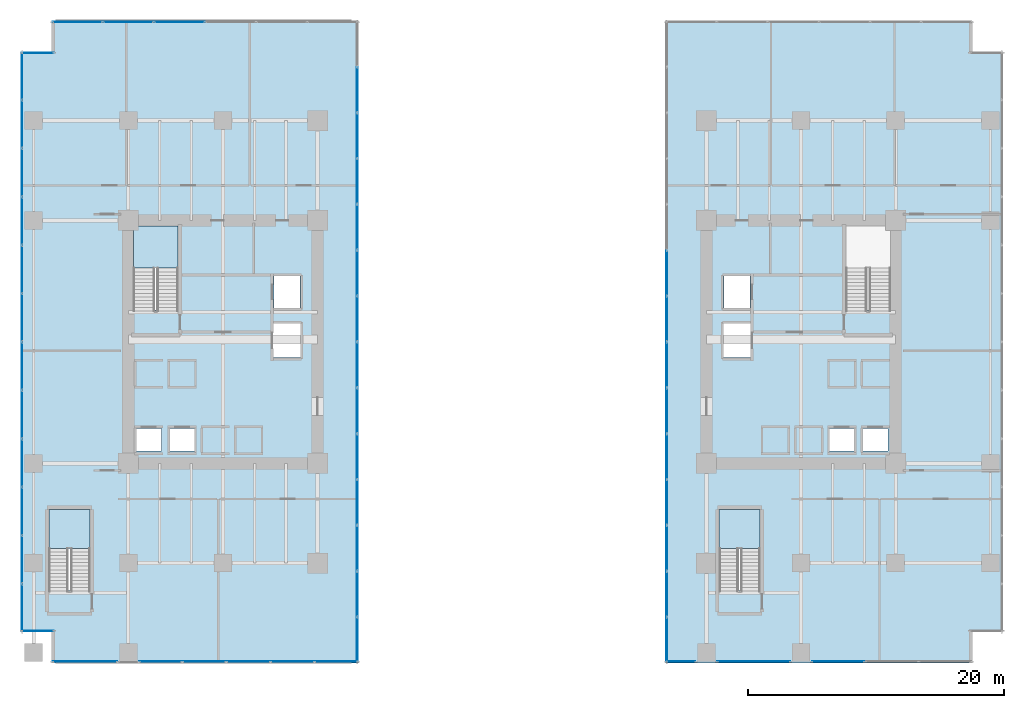
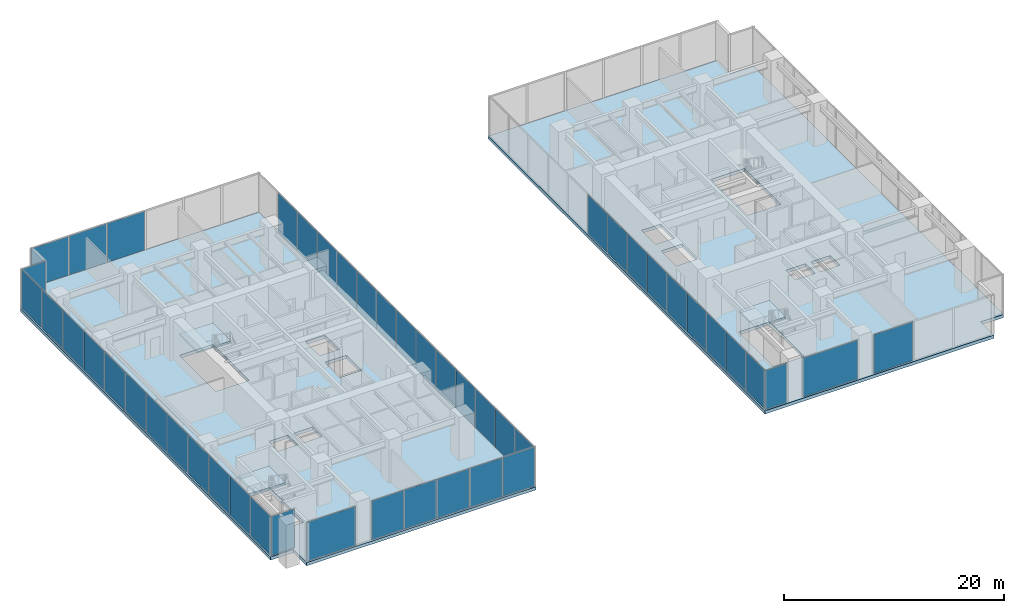
# One storey, part 23 of 32: 48 plates, 5 slabs, 14 elements without a shape of their own.
"""IFC4 building model written with IfcOpenShell, lengths in metres."""

from ifc_helpers import new_model, si_unit, direction, frame, origin, origin_2d, place, context, subcontext, project, spatial, polyline, rectangle, outline, extrude, source, transform, mapped, material, layer, layer_set, type_object, type_shapes, element, aggregate, save


model = new_model("IFC4")

# Units and contexts
model_context = context("Model", 3, precision=1e-05, world=origin(), true_north=direction((0.0, 1.0)))
body_context = subcontext(model_context, "Body", "Model", "MODEL_VIEW")
ifc_project = project(units=[si_unit("LENGTHUNIT", "METRE"), si_unit("AREAUNIT", "SQUARE_METRE"), si_unit("VOLUMEUNIT", "CUBIC_METRE"), si_unit("PLANEANGLEUNIT", "RADIAN"), si_unit("MASSUNIT", "GRAM", prefix="KILO")], contexts=[model_context])

# Site, building, storey
site_placement = place(None, origin())
site = spatial("IfcSite", under=ifc_project, at=site_placement, CompositionType="ELEMENT")
building_placement = place(site_placement, origin())
building = spatial("IfcBuilding", under=site, at=building_placement, Name="Haelvirn Gate Laboratories", CompositionType="ELEMENT")
storey_placement = place(building_placement, frame((0.0, 0.0, 5.39990234375)))
storey = spatial("IfcBuildingStorey", under=building, at=storey_placement, Name="L02", CompositionType="ELEMENT", Elevation=5.39990234375)

# Slabs
ifc_material_1 = material(Name="Concrete C50/60", Category="concrete")
ifc_layer_1 = layer(ifc_material_1, 0.35009765625, Name="SL-POD-350")
ifc_layer_set_1 = layer_set([ifc_layer_1], Name="Concrete C50/60")
slab_type_1 = type_object("IfcSlabType", Name="SL-POD-350", PredefinedType="FLOOR", material=ifc_layer_set_1)
slab_1_placement = place(storey_placement, frame((0.0, 0.0, -0.349853515625)))
element("IfcSlab", 1, at=slab_1_placement, inside=storey, type_object=slab_type_1, Name="L02 Structural Slab W", PredefinedType="FLOOR", context=body_context, shape_type="SweptSolid", body=[
    extrude(outline(polyline([(1.39990234375, -0.800048828125), (25.39990234375, -0.800048828125), (25.39990234375, 49.39990234375), (1.39990234375, 49.39990234375), (1.39990234375, 47.0), (-1.0, 47.0), (-1.0, 1.60009765625), (1.39990234375, 1.60009765625), (1.39990234375, -0.800048828125)]), holes=[polyline([(11.300048828125, 26.780029296875), (11.300048828125, 33.35009765625), (7.800048828125, 33.35009765625), (7.800048828125, 26.780029296875), (11.300048828125, 26.780029296875)]), polyline([(4.39990234375, 4.8798828125), (4.39990234375, 11.199951171875), (1.199951171875, 11.199951171875), (1.199951171875, 4.8798828125), (4.39990234375, 4.8798828125)]), polyline([(7.989990234375, 15.77001953125), (10.010009765625, 15.77001953125), (10.010009765625, 17.510009765625), (7.989990234375, 17.510009765625), (7.989990234375, 15.77001953125)]), polyline([(10.590087890625, 15.77001953125), (12.610107421875, 15.77001953125), (12.610107421875, 17.510009765625), (10.590087890625, 17.510009765625), (10.590087890625, 15.77001953125)]), polyline([(18.7900390625, 26.969970703125), (20.81005859375, 26.969970703125), (20.81005859375, 29.510009765625), (18.7900390625, 29.510009765625), (18.7900390625, 26.969970703125)]), polyline([(18.68994140625, 23.070068359375), (20.909912109375, 23.070068359375), (20.909912109375, 25.81005859375), (18.68994140625, 25.81005859375), (18.68994140625, 23.070068359375)])]), origin(), (0.0, 0.0, 1.0), 0.349853515625),
])
slab_2_placement = place(storey_placement, frame((0.0, 0.0, -0.349853515625)))
element("IfcSlab", 2, at=slab_2_placement, inside=storey, type_object=slab_type_1, Name="L02 Structural Slab E", PredefinedType="FLOOR", context=body_context, shape_type="SweptSolid", body=[
    extrude(outline(polyline([(49.39990234375, -0.800048828125), (73.39990234375, -0.800048828125), (73.39990234375, 1.60009765625), (75.800048828125, 1.60009765625), (75.800048828125, 47.0), (73.39990234375, 47.0), (73.39990234375, 49.39990234375), (49.39990234375, 49.39990234375), (49.39990234375, -0.800048828125)]), holes=[polyline([(67.0, 26.780029296875), (67.0, 33.35009765625), (63.5, 33.35009765625), (63.5, 26.780029296875), (67.0, 26.780029296875)]), polyline([(56.800048828125, 4.8798828125), (56.800048828125, 11.199951171875), (53.60009765625, 11.199951171875), (53.60009765625, 4.8798828125), (56.800048828125, 4.8798828125)]), polyline([(64.7900390625, 15.77001953125), (66.81005859375, 15.77001953125), (66.81005859375, 17.510009765625), (64.7900390625, 17.510009765625), (64.7900390625, 15.77001953125)]), polyline([(62.18994140625, 15.77001953125), (64.2099609375, 15.77001953125), (64.2099609375, 17.510009765625), (62.18994140625, 17.510009765625), (62.18994140625, 15.77001953125)]), polyline([(53.989990234375, 26.969970703125), (56.010009765625, 26.969970703125), (56.010009765625, 29.510009765625), (53.989990234375, 29.510009765625), (53.989990234375, 26.969970703125)]), polyline([(53.889892578125, 23.070068359375), (56.110107421875, 23.070068359375), (56.110107421875, 25.81005859375), (53.889892578125, 25.81005859375), (53.889892578125, 23.070068359375)])]), origin(), (0.0, 0.0, 1.0), 0.349853515625),
])

# Stair, slab
ifc_material_2 = material(Name="Concrete C40/50", Category="concrete")
stair_type_1 = type_object("IfcStairType", Name="ST-DOG-1650-R26", PredefinedType="HALF_TURN_STAIR", material=ifc_material_2)
stair_1_placement = place(storey_placement, origin())
stair_1 = element("IfcStair", 3, at=stair_1_placement, inside=storey, type_object=stair_type_1, Name="L02 Escape Stair ST1", PredefinedType="HALF_TURN_STAIR")
ifc_layer_2 = layer(ifc_material_2, 0.199951171875, Name="SL-STAIR-LND")
ifc_layer_set_2 = layer_set([ifc_layer_2], Name="Concrete C40/50")
slab_type_2 = type_object("IfcSlabType", Name="SL-STAIR-LND", PredefinedType="LANDING", material=ifc_layer_set_2)
slab_3_placement = place(storey_placement, frame((0.0, 0.0, 2.2001953125)))
slab_3 = element("IfcSlab", 4, at=slab_3_placement, type_object=slab_type_2, Name="ST1 landing 1", PredefinedType="LANDING", context=body_context, shape_type="SweptSolid", body=[
    extrude(outline(polyline([(11.300048828125, 30.06005859375), (11.300048828125, 33.35009765625), (7.800048828125, 33.35009765625), (7.800048828125, 30.06005859375), (11.300048828125, 30.06005859375)])), origin(), (0.0, 0.0, 1.0), 0.199951171875),
])
aggregate(stair_1, [slab_3])

stair_type_2 = type_object("IfcStairType", Name="ST-DOG-1500-R26", PredefinedType="HALF_TURN_STAIR", material=ifc_material_2)
stair_2_placement = place(storey_placement, origin())
stair_2 = element("IfcStair", 5, at=stair_2_placement, inside=storey, type_object=stair_type_2, Name="L02 Escape Stair ST3", PredefinedType="HALF_TURN_STAIR")
slab_4_placement = place(storey_placement, frame((0.0, 0.0, 2.2001953125)))
slab_4 = element("IfcSlab", 6, at=slab_4_placement, type_object=slab_type_2, Name="ST3 landing 1", PredefinedType="LANDING", context=body_context, shape_type="SweptSolid", body=[
    extrude(outline(polyline([(4.39990234375, 8.159912109375), (4.39990234375, 11.199951171875), (1.199951171875, 11.199951171875), (1.199951171875, 8.159912109375), (4.39990234375, 8.159912109375)])), origin(), (0.0, 0.0, 1.0), 0.199951171875),
])
aggregate(stair_2, [slab_4])

stair_3_placement = place(storey_placement, origin())
stair_3 = element("IfcStair", 7, at=stair_3_placement, inside=storey, type_object=stair_type_2, Name="L02 Escape Stair ST4", PredefinedType="HALF_TURN_STAIR")
slab_5_placement = place(storey_placement, frame((0.0, 0.0, 2.2001953125)))
slab_5 = element("IfcSlab", 8, at=slab_5_placement, type_object=slab_type_2, Name="ST4 landing 1", PredefinedType="LANDING", context=body_context, shape_type="SweptSolid", body=[
    extrude(outline(polyline([(56.800048828125, 8.159912109375), (56.800048828125, 11.199951171875), (53.60009765625, 11.199951171875), (53.60009765625, 8.159912109375), (56.800048828125, 8.159912109375)])), origin(), (0.0, 0.0, 1.0), 0.199951171875),
])
aggregate(stair_3, [slab_5])

# Curtain wall, plate
ifc_material_3 = material(Name="Anodised bronze unitised aluminium & triple low-E glass", Category="aluminium")
ifc_layer_3 = layer(ifc_material_3, 0.18798828125, Name="CW-SYS-1")
ifc_layer_set_3 = layer_set([ifc_layer_3], Name="Anodised bronze unitised aluminium & triple low-E glass")
curtain_wall_type_1 = type_object("IfcCurtainWallType", Name="CW-SYS-1", PredefinedType="NOTDEFINED", material=ifc_layer_set_3)
curtain_wall_1_placement = place(storey_placement, origin())
curtain_wall_1 = element("IfcCurtainWall", 9, at=curtain_wall_1_placement, inside=storey, type_object=curtain_wall_type_1, Name="L02 Unitised Curtain Wall CW-L02-P0-E00-1-S1", PredefinedType="NOTDEFINED")
ifc_material_4 = material(Name="Bronze solar-control triple low-E IGU 48 mm", Category="glass")
ifc_layer_4 = layer(ifc_material_4, 0.048095703125, Name="CWP-IGU-48")
ifc_layer_set_4 = layer_set([ifc_layer_4], Name="Bronze solar-control triple low-E IGU 48 mm")
plate_type_1 = type_object("IfcPlateType", Name="CWP-IGU-48", PredefinedType="CURTAIN_PANEL", material=ifc_layer_set_4)
shared_shape_1 = source(origin(), body_context, "Body", "SweptSolid", [
    extrude(rectangle(XDim=5.06005859375, YDim=0.048095703125, at=origin_2d()), origin(), (0.0, 0.0, 1.0), 4.31005859375),
])
plate_1_placement = place(storey_placement, frame((4.010009765625, -0.699951171875, 0.070068359375), z_axis=(0.0, 0.0, 1.0), x_axis=(1.0, 0.0, 0.0)))
plate_1 = element("IfcPlate", 10, at=plate_1_placement, type_object=plate_type_1, Name="CW1 panel 1.1", PredefinedType="CURTAIN_PANEL", context=body_context, shape_type="MappedRepresentation", body=[
    mapped(shared_shape_1, transform((0.0, 0.0, 0.0), scale=1.0)),
])
aggregate(curtain_wall_1, [plate_1])

# Curtain wall, plates
curtain_wall_2_placement = place(storey_placement, origin())
curtain_wall_2 = element("IfcCurtainWall", 11, at=curtain_wall_2_placement, inside=storey, type_object=curtain_wall_type_1, Name="L02 Unitised Curtain Wall CW-L02-P0-E00-1-S2", PredefinedType="NOTDEFINED")
shared_shape_2 = source(origin(), body_context, "Body", "SweptSolid", [
    extrude(rectangle(XDim=3.323974609375, YDim=0.048095703125, at=origin_2d()), origin(), (0.0, 0.0, 1.0), 4.31005859375),
])
plate_2_placement = place(storey_placement, frame((9.922119140625, -0.699951171875, 0.070068359375), z_axis=(0.0, 0.0, 1.0), x_axis=(1.0, 0.0, 0.0)))
plate_2 = element("IfcPlate", 12, at=plate_2_placement, type_object=plate_type_1, Name="CW1 panel 1.1", PredefinedType="CURTAIN_PANEL", context=body_context, shape_type="MappedRepresentation", body=[
    mapped(shared_shape_2, transform((0.0, 0.0, 0.0), scale=1.0)),
])
plate_3_placement = place(storey_placement, frame((23.657958984375, -0.699951171875, 0.070068359375), z_axis=(0.0, 0.0, 1.0), x_axis=(1.0, 0.0, 0.0)))
plate_3 = element("IfcPlate", 13, at=plate_3_placement, type_object=plate_type_1, Name="CW1 panel 5.1", PredefinedType="CURTAIN_PANEL", context=body_context, shape_type="MappedRepresentation", body=[
    mapped(shared_shape_2, transform((0.0, 0.0, 0.0), scale=1.0)),
])
shared_shape_3 = source(origin(), body_context, "Body", "SweptSolid", [
    extrude(rectangle(XDim=3.364013671875, YDim=0.048095703125, at=origin_2d()), origin(), (0.0, 0.0, 1.0), 4.31005859375),
])
plate_4_placement = place(storey_placement, frame((13.345947265625, -0.699951171875, 0.070068359375), z_axis=(0.0, 0.0, 1.0), x_axis=(1.0, 0.0, 0.0)))
plate_4 = element("IfcPlate", 14, at=plate_4_placement, type_object=plate_type_1, Name="CW1 panel 2.1", PredefinedType="CURTAIN_PANEL", context=body_context, shape_type="MappedRepresentation", body=[
    mapped(shared_shape_3, transform((0.0, 0.0, 0.0), scale=1.0)),
])
plate_5_placement = place(storey_placement, frame((16.7900390625, -0.699951171875, 0.070068359375), z_axis=(0.0, 0.0, 1.0), x_axis=(1.0, 0.0, 0.0)))
plate_5 = element("IfcPlate", 15, at=plate_5_placement, type_object=plate_type_1, Name="CW1 panel 3.1", PredefinedType="CURTAIN_PANEL", context=body_context, shape_type="MappedRepresentation", body=[
    mapped(shared_shape_3, transform((0.0, 0.0, 0.0), scale=1.0)),
])
plate_6_placement = place(storey_placement, frame((20.23388671875, -0.699951171875, 0.070068359375), z_axis=(0.0, 0.0, 1.0), x_axis=(1.0, 0.0, 0.0)))
plate_6 = element("IfcPlate", 16, at=plate_6_placement, type_object=plate_type_1, Name="CW1 panel 4.1", PredefinedType="CURTAIN_PANEL", context=body_context, shape_type="MappedRepresentation", body=[
    mapped(shared_shape_3, transform((0.0, 0.0, 0.0), scale=1.0)),
])
aggregate(curtain_wall_2, [plate_2, plate_4, plate_5, plate_6, plate_3])

# Curtain wall, plate
curtain_wall_3_placement = place(storey_placement, origin())
curtain_wall_3 = element("IfcCurtainWall", 17, at=curtain_wall_3_placement, inside=storey, type_object=curtain_wall_type_1, Name="L02 Unitised Curtain Wall CW-L02-P0-E01", PredefinedType="NOTDEFINED")
shared_shape_4 = source(origin(), body_context, "Body", "SweptSolid", [
    extrude(rectangle(XDim=3.4658203125, YDim=0.048095703125, at=origin_2d()), origin(), (0.0, 0.0, 1.0), 4.31005859375),
])
plate_7_placement = place(storey_placement, frame((25.300048828125, 1.012939453125, 0.070068359375), z_axis=(0.0, 0.0, 1.0), x_axis=(0.0, 1.0, 0.0)))
plate_7 = element("IfcPlate", 18, at=plate_7_placement, type_object=plate_type_1, Name="CW1 panel 1.1", PredefinedType="CURTAIN_PANEL", context=body_context, shape_type="MappedRepresentation", body=[
    mapped(shared_shape_4, transform((0.0, 0.0, 0.0), scale=1.0)),
])

curtain_wall_4_placement = place(storey_placement, origin())
curtain_wall_4 = element("IfcCurtainWall", 19, at=curtain_wall_4_placement, inside=storey, type_object=curtain_wall_type_1, Name="L02 Unitised Curtain Wall CW-L02-P1-E07", PredefinedType="NOTDEFINED")
plate_8_placement = place(storey_placement, frame((49.5, 1.012939453125, 0.070068359375), z_axis=(0.0, 0.0, 1.0), x_axis=(0.0, -1.0, 0.0)))
plate_8 = element("IfcPlate", 20, at=plate_8_placement, type_object=plate_type_1, Name="CW1 panel 14.1", PredefinedType="CURTAIN_PANEL", context=body_context, shape_type="MappedRepresentation", body=[
    mapped(shared_shape_4, transform((0.0, 0.0, 0.0), scale=1.0)),
])

# Plate
shared_shape_5 = source(origin(), body_context, "Body", "SweptSolid", [
    extrude(rectangle(XDim=3.505615234375, YDim=0.048095703125, at=origin_2d()), origin(), (0.0, 0.0, 1.0), 4.31005859375),
])
plate_9_placement = place(storey_placement, frame((25.300048828125, 4.57861328125, 0.070068359375), z_axis=(0.0, 0.0, 1.0), x_axis=(0.0, 1.0, 0.0)))
plate_9 = element("IfcPlate", 21, at=plate_9_placement, type_object=plate_type_1, Name="CW1 panel 2.1", PredefinedType="CURTAIN_PANEL", context=body_context, shape_type="MappedRepresentation", body=[
    mapped(shared_shape_5, transform((0.0, 0.0, 0.0), scale=1.0)),
])

plate_10_placement = place(storey_placement, frame((25.300048828125, 8.164306640625, 0.070068359375), z_axis=(0.0, 0.0, 1.0), x_axis=(0.0, 1.0, 0.0)))
plate_10 = element("IfcPlate", 22, at=plate_10_placement, type_object=plate_type_1, Name="CW1 panel 3.1", PredefinedType="CURTAIN_PANEL", context=body_context, shape_type="MappedRepresentation", body=[
    mapped(shared_shape_5, transform((0.0, 0.0, 0.0), scale=1.0)),
])

plate_11_placement = place(storey_placement, frame((25.300048828125, 11.75, 0.070068359375), z_axis=(0.0, 0.0, 1.0), x_axis=(0.0, 1.0, 0.0)))
plate_11 = element("IfcPlate", 23, at=plate_11_placement, type_object=plate_type_1, Name="CW1 panel 4.1", PredefinedType="CURTAIN_PANEL", context=body_context, shape_type="MappedRepresentation", body=[
    mapped(shared_shape_5, transform((0.0, 0.0, 0.0), scale=1.0)),
])

plate_12_placement = place(storey_placement, frame((25.300048828125, 15.335693359375, 0.070068359375), z_axis=(0.0, 0.0, 1.0), x_axis=(0.0, 1.0, 0.0)))
plate_12 = element("IfcPlate", 24, at=plate_12_placement, type_object=plate_type_1, Name="CW1 panel 5.1", PredefinedType="CURTAIN_PANEL", context=body_context, shape_type="MappedRepresentation", body=[
    mapped(shared_shape_5, transform((0.0, 0.0, 0.0), scale=1.0)),
])

plate_13_placement = place(storey_placement, frame((25.300048828125, 18.92138671875, 0.070068359375), z_axis=(0.0, 0.0, 1.0), x_axis=(0.0, 1.0, 0.0)))
plate_13 = element("IfcPlate", 25, at=plate_13_placement, type_object=plate_type_1, Name="CW1 panel 6.1", PredefinedType="CURTAIN_PANEL", context=body_context, shape_type="MappedRepresentation", body=[
    mapped(shared_shape_5, transform((0.0, 0.0, 0.0), scale=1.0)),
])

plate_14_placement = place(storey_placement, frame((25.300048828125, 22.507080078125, 0.070068359375), z_axis=(0.0, 0.0, 1.0), x_axis=(0.0, 1.0, 0.0)))
plate_14 = element("IfcPlate", 26, at=plate_14_placement, type_object=plate_type_1, Name="CW1 panel 7.1", PredefinedType="CURTAIN_PANEL", context=body_context, shape_type="MappedRepresentation", body=[
    mapped(shared_shape_5, transform((0.0, 0.0, 0.0), scale=1.0)),
])

plate_15_placement = place(storey_placement, frame((25.300048828125, 26.0927734375, 0.070068359375), z_axis=(0.0, 0.0, 1.0), x_axis=(0.0, 1.0, 0.0)))
plate_15 = element("IfcPlate", 27, at=plate_15_placement, type_object=plate_type_1, Name="CW1 panel 8.1", PredefinedType="CURTAIN_PANEL", context=body_context, shape_type="MappedRepresentation", body=[
    mapped(shared_shape_5, transform((0.0, 0.0, 0.0), scale=1.0)),
])

plate_16_placement = place(storey_placement, frame((25.300048828125, 29.678466796875, 0.070068359375), z_axis=(0.0, 0.0, 1.0), x_axis=(0.0, 1.0, 0.0)))
plate_16 = element("IfcPlate", 28, at=plate_16_placement, type_object=plate_type_1, Name="CW1 panel 9.1", PredefinedType="CURTAIN_PANEL", context=body_context, shape_type="MappedRepresentation", body=[
    mapped(shared_shape_5, transform((0.0, 0.0, 0.0), scale=1.0)),
])

plate_17_placement = place(storey_placement, frame((25.300048828125, 33.264404296875, 0.070068359375), z_axis=(0.0, 0.0, 1.0), x_axis=(0.0, 1.0, 0.0)))
plate_17 = element("IfcPlate", 29, at=plate_17_placement, type_object=plate_type_1, Name="CW1 panel 10.1", PredefinedType="CURTAIN_PANEL", context=body_context, shape_type="MappedRepresentation", body=[
    mapped(shared_shape_5, transform((0.0, 0.0, 0.0), scale=1.0)),
])

plate_18_placement = place(storey_placement, frame((25.300048828125, 36.85009765625, 0.070068359375), z_axis=(0.0, 0.0, 1.0), x_axis=(0.0, 1.0, 0.0)))
plate_18 = element("IfcPlate", 30, at=plate_18_placement, type_object=plate_type_1, Name="CW1 panel 11.1", PredefinedType="CURTAIN_PANEL", context=body_context, shape_type="MappedRepresentation", body=[
    mapped(shared_shape_5, transform((0.0, 0.0, 0.0), scale=1.0)),
])

plate_19_placement = place(storey_placement, frame((25.300048828125, 40.435791015625, 0.070068359375), z_axis=(0.0, 0.0, 1.0), x_axis=(0.0, 1.0, 0.0)))
plate_19 = element("IfcPlate", 31, at=plate_19_placement, type_object=plate_type_1, Name="CW1 panel 12.1", PredefinedType="CURTAIN_PANEL", context=body_context, shape_type="MappedRepresentation", body=[
    mapped(shared_shape_5, transform((0.0, 0.0, 0.0), scale=1.0)),
])

plate_20_placement = place(storey_placement, frame((25.300048828125, 44.021484375, 0.070068359375), z_axis=(0.0, 0.0, 1.0), x_axis=(0.0, 1.0, 0.0)))
plate_20 = element("IfcPlate", 32, at=plate_20_placement, type_object=plate_type_1, Name="CW1 panel 13.1", PredefinedType="CURTAIN_PANEL", context=body_context, shape_type="MappedRepresentation", body=[
    mapped(shared_shape_5, transform((0.0, 0.0, 0.0), scale=1.0)),
])

aggregate(curtain_wall_3, [plate_7, plate_9, plate_10, plate_11, plate_12, plate_13, plate_14, plate_15, plate_16, plate_17, plate_18, plate_19, plate_20])

plate_21_placement = place(storey_placement, frame((49.5, 29.678466796875, 0.070068359375), z_axis=(0.0, 0.0, 1.0), x_axis=(0.0, -1.0, 0.0)))
plate_21 = element("IfcPlate", 33, at=plate_21_placement, type_object=plate_type_1, Name="CW1 panel 6.1", PredefinedType="CURTAIN_PANEL", context=body_context, shape_type="MappedRepresentation", body=[
    mapped(shared_shape_5, transform((0.0, 0.0, 0.0), scale=1.0)),
])

plate_22_placement = place(storey_placement, frame((49.5, 26.0927734375, 0.070068359375), z_axis=(0.0, 0.0, 1.0), x_axis=(0.0, -1.0, 0.0)))
plate_22 = element("IfcPlate", 34, at=plate_22_placement, type_object=plate_type_1, Name="CW1 panel 7.1", PredefinedType="CURTAIN_PANEL", context=body_context, shape_type="MappedRepresentation", body=[
    mapped(shared_shape_5, transform((0.0, 0.0, 0.0), scale=1.0)),
])

plate_23_placement = place(storey_placement, frame((49.5, 22.507080078125, 0.070068359375), z_axis=(0.0, 0.0, 1.0), x_axis=(0.0, -1.0, 0.0)))
plate_23 = element("IfcPlate", 35, at=plate_23_placement, type_object=plate_type_1, Name="CW1 panel 8.1", PredefinedType="CURTAIN_PANEL", context=body_context, shape_type="MappedRepresentation", body=[
    mapped(shared_shape_5, transform((0.0, 0.0, 0.0), scale=1.0)),
])

plate_24_placement = place(storey_placement, frame((49.5, 18.92138671875, 0.070068359375), z_axis=(0.0, 0.0, 1.0), x_axis=(0.0, -1.0, 0.0)))
plate_24 = element("IfcPlate", 36, at=plate_24_placement, type_object=plate_type_1, Name="CW1 panel 9.1", PredefinedType="CURTAIN_PANEL", context=body_context, shape_type="MappedRepresentation", body=[
    mapped(shared_shape_5, transform((0.0, 0.0, 0.0), scale=1.0)),
])

plate_25_placement = place(storey_placement, frame((49.5, 15.335693359375, 0.070068359375), z_axis=(0.0, 0.0, 1.0), x_axis=(0.0, -1.0, 0.0)))
plate_25 = element("IfcPlate", 37, at=plate_25_placement, type_object=plate_type_1, Name="CW1 panel 10.1", PredefinedType="CURTAIN_PANEL", context=body_context, shape_type="MappedRepresentation", body=[
    mapped(shared_shape_5, transform((0.0, 0.0, 0.0), scale=1.0)),
])

plate_26_placement = place(storey_placement, frame((49.5, 11.75, 0.070068359375), z_axis=(0.0, 0.0, 1.0), x_axis=(0.0, -1.0, 0.0)))
plate_26 = element("IfcPlate", 38, at=plate_26_placement, type_object=plate_type_1, Name="CW1 panel 11.1", PredefinedType="CURTAIN_PANEL", context=body_context, shape_type="MappedRepresentation", body=[
    mapped(shared_shape_5, transform((0.0, 0.0, 0.0), scale=1.0)),
])

plate_27_placement = place(storey_placement, frame((49.5, 8.164306640625, 0.070068359375), z_axis=(0.0, 0.0, 1.0), x_axis=(0.0, -1.0, 0.0)))
plate_27 = element("IfcPlate", 39, at=plate_27_placement, type_object=plate_type_1, Name="CW1 panel 12.1", PredefinedType="CURTAIN_PANEL", context=body_context, shape_type="MappedRepresentation", body=[
    mapped(shared_shape_5, transform((0.0, 0.0, 0.0), scale=1.0)),
])

plate_28_placement = place(storey_placement, frame((49.5, 4.57861328125, 0.070068359375), z_axis=(0.0, 0.0, 1.0), x_axis=(0.0, -1.0, 0.0)))
plate_28 = element("IfcPlate", 40, at=plate_28_placement, type_object=plate_type_1, Name="CW1 panel 13.1", PredefinedType="CURTAIN_PANEL", context=body_context, shape_type="MappedRepresentation", body=[
    mapped(shared_shape_5, transform((0.0, 0.0, 0.0), scale=1.0)),
])

aggregate(curtain_wall_4, [plate_21, plate_22, plate_23, plate_24, plate_25, plate_26, plate_27, plate_28, plate_8])

# Curtain wall, plates
curtain_wall_5_placement = place(storey_placement, origin())
curtain_wall_5 = element("IfcCurtainWall", 41, at=curtain_wall_5_placement, inside=storey, type_object=curtain_wall_type_1, Name="L02 Unitised Curtain Wall CW-L02-P0-E02-1", PredefinedType="NOTDEFINED")
shared_shape_6 = source(origin(), body_context, "Body", "SweptSolid", [
    extrude(rectangle(XDim=3.8798828125, YDim=0.048095703125, at=origin_2d()), origin(), (0.0, 0.0, 1.0), 4.31005859375),
])
plate_29_placement = place(storey_placement, frame((3.419921875, 49.300048828125, 0.070068359375), z_axis=(0.0, 0.0, 1.0), x_axis=(1.0, 0.0, 0.0)))
plate_29 = element("IfcPlate", 42, at=plate_29_placement, type_object=plate_type_1, Name="CW1 panel 1.1", PredefinedType="CURTAIN_PANEL", context=body_context, shape_type="MappedRepresentation", body=[
    mapped(shared_shape_6, transform((0.0, 0.0, 0.0), scale=1.0)),
])
shared_shape_7 = source(origin(), body_context, "Body", "SweptSolid", [
    extrude(rectangle(XDim=3.919921875, YDim=0.048095703125, at=origin_2d()), origin(), (0.0, 0.0, 1.0), 4.31005859375),
])
plate_30_placement = place(storey_placement, frame((7.39990234375, 49.300048828125, 0.070068359375), z_axis=(0.0, 0.0, 1.0), x_axis=(1.0, 0.0, 0.0)))
plate_30 = element("IfcPlate", 43, at=plate_30_placement, type_object=plate_type_1, Name="CW1 panel 2.1", PredefinedType="CURTAIN_PANEL", context=body_context, shape_type="MappedRepresentation", body=[
    mapped(shared_shape_7, transform((0.0, 0.0, 0.0), scale=1.0)),
])
plate_31_placement = place(storey_placement, frame((11.39990234375, 49.300048828125, 0.070068359375), z_axis=(0.0, 0.0, 1.0), x_axis=(1.0, 0.0, 0.0)))
plate_31 = element("IfcPlate", 44, at=plate_31_placement, type_object=plate_type_1, Name="CW1 panel 3.1", PredefinedType="CURTAIN_PANEL", context=body_context, shape_type="MappedRepresentation", body=[
    mapped(shared_shape_7, transform((0.0, 0.0, 0.0), scale=1.0)),
])
aggregate(curtain_wall_5, [plate_29, plate_30, plate_31])

# Curtain wall, plate
ifc_layer_5 = layer(ifc_material_3, 0.181884765625, Name="CW-SYS-5")
ifc_layer_set_5 = layer_set([ifc_layer_5], Name="Anodised bronze unitised aluminium & triple low-E glass")
curtain_wall_type_2 = type_object("IfcCurtainWallType", Name="CW-SYS-5", PredefinedType="NOTDEFINED", material=ifc_layer_set_5)
curtain_wall_6_placement = place(storey_placement, origin())
curtain_wall_6 = element("IfcCurtainWall", 45, at=curtain_wall_6_placement, inside=storey, type_object=curtain_wall_type_2, Name="L02 Unitised Curtain Wall CW-L02-P0-E04-1", PredefinedType="NOTDEFINED")
ifc_material_5 = material(Name="Clear low-iron notched-corner triple IGU 42 mm", Category="glass")
ifc_layer_6 = layer(ifc_material_5, 0.0419921875, Name="CWP-NTC-42")
ifc_layer_set_6 = layer_set([ifc_layer_6], Name="Clear low-iron notched-corner triple IGU 42 mm")
plate_type_2 = type_object("IfcPlateType", Name="CWP-NTC-42", PredefinedType="CURTAIN_PANEL", material=ifc_layer_set_6)
shared_shape_8 = source(origin(), body_context, "Body", "SweptSolid", [
    extrude(rectangle(XDim=2.47998046875, YDim=0.0419921875, at=origin_2d()), origin(), (0.0, 0.0, 1.0), 4.320068359375),
])
type_shapes(plate_type_2, [shared_shape_8])
plate_32_placement = place(storey_placement, frame((0.320068359375, 46.89990234375, 0.06494140625), z_axis=(0.0, 0.0, 1.0), x_axis=(1.0, 0.0, 0.0)))
plate_32 = element("IfcPlate", 46, at=plate_32_placement, type_object=plate_type_2, Name="CW5 panel 1.1", PredefinedType="CURTAIN_PANEL", context=body_context, shape_type="MappedRepresentation", body=[
    mapped(shared_shape_8, transform((0.0, 0.0, 0.0), scale=1.0)),
])
aggregate(curtain_wall_6, [plate_32])

curtain_wall_7_placement = place(storey_placement, origin())
curtain_wall_7 = element("IfcCurtainWall", 47, at=curtain_wall_7_placement, inside=storey, type_object=curtain_wall_type_2, Name="L02 Unitised Curtain Wall CW-L02-P0-E06-1", PredefinedType="NOTDEFINED")
plate_33_placement = place(storey_placement, frame((0.320068359375, 1.699951171875, 0.06494140625), z_axis=(0.0, 0.0, 1.0), x_axis=(1.0, 0.0, 0.0)))
plate_33 = element("IfcPlate", 48, at=plate_33_placement, type_object=plate_type_2, Name="CW5 panel 1.1", PredefinedType="CURTAIN_PANEL", context=body_context, shape_type="MappedRepresentation", body=[
    mapped(shared_shape_8, transform((0.0, 0.0, 0.0), scale=1.0)),
])
aggregate(curtain_wall_7, [plate_33])

# Curtain wall, plates
curtain_wall_8_placement = place(storey_placement, origin())
curtain_wall_8 = element("IfcCurtainWall", 49, at=curtain_wall_8_placement, inside=storey, type_object=curtain_wall_type_1, Name="L02 Unitised Curtain Wall CW-L02-P0-E05", PredefinedType="NOTDEFINED")
shared_shape_9 = source(origin(), body_context, "Body", "SweptSolid", [
    extrude(rectangle(XDim=3.663330078125, YDim=0.048095703125, at=origin_2d()), origin(), (0.0, 0.0, 1.0), 4.31005859375),
])
plate_34_placement = place(storey_placement, frame((-0.89990234375, 45.08837890625, 0.070068359375), z_axis=(0.0, 0.0, 1.0), x_axis=(0.0, -1.0, 0.0)))
plate_34 = element("IfcPlate", 50, at=plate_34_placement, type_object=plate_type_1, Name="CW1 panel 1.1", PredefinedType="CURTAIN_PANEL", context=body_context, shape_type="MappedRepresentation", body=[
    mapped(shared_shape_9, transform((0.0, 0.0, 0.0), scale=1.0)),
])
plate_35_placement = place(storey_placement, frame((-0.89990234375, 3.51171875, 0.070068359375), z_axis=(0.0, 0.0, 1.0), x_axis=(0.0, -1.0, 0.0)))
plate_35 = element("IfcPlate", 51, at=plate_35_placement, type_object=plate_type_1, Name="CW1 panel 12.1", PredefinedType="CURTAIN_PANEL", context=body_context, shape_type="MappedRepresentation", body=[
    mapped(shared_shape_9, transform((0.0, 0.0, 0.0), scale=1.0)),
])
shared_shape_10 = source(origin(), body_context, "Body", "SweptSolid", [
    extrude(rectangle(XDim=3.703369140625, YDim=0.048095703125, at=origin_2d()), origin(), (0.0, 0.0, 1.0), 4.31005859375),
])
plate_36_placement = place(storey_placement, frame((-0.89990234375, 41.324951171875, 0.070068359375), z_axis=(0.0, 0.0, 1.0), x_axis=(0.0, -1.0, 0.0)))
plate_36 = element("IfcPlate", 52, at=plate_36_placement, type_object=plate_type_1, Name="CW1 panel 2.1", PredefinedType="CURTAIN_PANEL", context=body_context, shape_type="MappedRepresentation", body=[
    mapped(shared_shape_10, transform((0.0, 0.0, 0.0), scale=1.0)),
])
plate_37_placement = place(storey_placement, frame((-0.89990234375, 37.541748046875, 0.070068359375), z_axis=(0.0, 0.0, 1.0), x_axis=(0.0, -1.0, 0.0)))
plate_37 = element("IfcPlate", 53, at=plate_37_placement, type_object=plate_type_1, Name="CW1 panel 3.1", PredefinedType="CURTAIN_PANEL", context=body_context, shape_type="MappedRepresentation", body=[
    mapped(shared_shape_10, transform((0.0, 0.0, 0.0), scale=1.0)),
])
plate_38_placement = place(storey_placement, frame((-0.89990234375, 33.75830078125, 0.070068359375), z_axis=(0.0, 0.0, 1.0), x_axis=(0.0, -1.0, 0.0)))
plate_38 = element("IfcPlate", 54, at=plate_38_placement, type_object=plate_type_1, Name="CW1 panel 4.1", PredefinedType="CURTAIN_PANEL", context=body_context, shape_type="MappedRepresentation", body=[
    mapped(shared_shape_10, transform((0.0, 0.0, 0.0), scale=1.0)),
])
plate_39_placement = place(storey_placement, frame((-0.89990234375, 29.97509765625, 0.070068359375), z_axis=(0.0, 0.0, 1.0), x_axis=(0.0, -1.0, 0.0)))
plate_39 = element("IfcPlate", 55, at=plate_39_placement, type_object=plate_type_1, Name="CW1 panel 5.1", PredefinedType="CURTAIN_PANEL", context=body_context, shape_type="MappedRepresentation", body=[
    mapped(shared_shape_10, transform((0.0, 0.0, 0.0), scale=1.0)),
])
plate_40_placement = place(storey_placement, frame((-0.89990234375, 26.191650390625, 0.070068359375), z_axis=(0.0, 0.0, 1.0), x_axis=(0.0, -1.0, 0.0)))
plate_40 = element("IfcPlate", 56, at=plate_40_placement, type_object=plate_type_1, Name="CW1 panel 6.1", PredefinedType="CURTAIN_PANEL", context=body_context, shape_type="MappedRepresentation", body=[
    mapped(shared_shape_10, transform((0.0, 0.0, 0.0), scale=1.0)),
])
plate_41_placement = place(storey_placement, frame((-0.89990234375, 22.408447265625, 0.070068359375), z_axis=(0.0, 0.0, 1.0), x_axis=(0.0, -1.0, 0.0)))
plate_41 = element("IfcPlate", 57, at=plate_41_placement, type_object=plate_type_1, Name="CW1 panel 7.1", PredefinedType="CURTAIN_PANEL", context=body_context, shape_type="MappedRepresentation", body=[
    mapped(shared_shape_10, transform((0.0, 0.0, 0.0), scale=1.0)),
])
plate_42_placement = place(storey_placement, frame((-0.89990234375, 18.625, 0.070068359375), z_axis=(0.0, 0.0, 1.0), x_axis=(0.0, -1.0, 0.0)))
plate_42 = element("IfcPlate", 58, at=plate_42_placement, type_object=plate_type_1, Name="CW1 panel 8.1", PredefinedType="CURTAIN_PANEL", context=body_context, shape_type="MappedRepresentation", body=[
    mapped(shared_shape_10, transform((0.0, 0.0, 0.0), scale=1.0)),
])
plate_43_placement = place(storey_placement, frame((-0.89990234375, 14.841552734375, 0.070068359375), z_axis=(0.0, 0.0, 1.0), x_axis=(0.0, -1.0, 0.0)))
plate_43 = element("IfcPlate", 59, at=plate_43_placement, type_object=plate_type_1, Name="CW1 panel 9.1", PredefinedType="CURTAIN_PANEL", context=body_context, shape_type="MappedRepresentation", body=[
    mapped(shared_shape_10, transform((0.0, 0.0, 0.0), scale=1.0)),
])
plate_44_placement = place(storey_placement, frame((-0.89990234375, 11.058349609375, 0.070068359375), z_axis=(0.0, 0.0, 1.0), x_axis=(0.0, -1.0, 0.0)))
plate_44 = element("IfcPlate", 60, at=plate_44_placement, type_object=plate_type_1, Name="CW1 panel 10.1", PredefinedType="CURTAIN_PANEL", context=body_context, shape_type="MappedRepresentation", body=[
    mapped(shared_shape_10, transform((0.0, 0.0, 0.0), scale=1.0)),
])
plate_45_placement = place(storey_placement, frame((-0.89990234375, 7.27490234375, 0.070068359375), z_axis=(0.0, 0.0, 1.0), x_axis=(0.0, -1.0, 0.0)))
plate_45 = element("IfcPlate", 61, at=plate_45_placement, type_object=plate_type_1, Name="CW1 panel 11.1", PredefinedType="CURTAIN_PANEL", context=body_context, shape_type="MappedRepresentation", body=[
    mapped(shared_shape_10, transform((0.0, 0.0, 0.0), scale=1.0)),
])
aggregate(curtain_wall_8, [plate_34, plate_36, plate_37, plate_38, plate_39, plate_40, plate_41, plate_42, plate_43, plate_44, plate_45, plate_35])

# Curtain wall, plate
curtain_wall_9_placement = place(storey_placement, origin())
curtain_wall_9 = element("IfcCurtainWall", 62, at=curtain_wall_9_placement, inside=storey, type_object=curtain_wall_type_1, Name="L02 Unitised Curtain Wall CW-L02-P1-E00-1-S1", PredefinedType="NOTDEFINED")
shared_shape_11 = source(origin(), body_context, "Body", "SweptSolid", [
    extrude(rectangle(XDim=2.260009765625, YDim=0.048095703125, at=origin_2d()), origin(), (0.0, 0.0, 1.0), 4.31005859375),
])
plate_46_placement = place(storey_placement, frame((50.610107421875, -0.699951171875, 0.070068359375), z_axis=(0.0, 0.0, 1.0), x_axis=(1.0, 0.0, 0.0)))
plate_46 = element("IfcPlate", 63, at=plate_46_placement, type_object=plate_type_1, Name="CW1 panel 1.1", PredefinedType="CURTAIN_PANEL", context=body_context, shape_type="MappedRepresentation", body=[
    mapped(shared_shape_11, transform((0.0, 0.0, 0.0), scale=1.0)),
])
aggregate(curtain_wall_9, [plate_46])

curtain_wall_10_placement = place(storey_placement, origin())
curtain_wall_10 = element("IfcCurtainWall", 64, at=curtain_wall_10_placement, inside=storey, type_object=curtain_wall_type_1, Name="L02 Unitised Curtain Wall CW-L02-P1-E00-1-S2", PredefinedType="NOTDEFINED")
shared_shape_12 = source(origin(), body_context, "Body", "SweptSolid", [
    extrude(rectangle(XDim=5.679931640625, YDim=0.048095703125, at=origin_2d()), origin(), (0.0, 0.0, 1.0), 4.31005859375),
])
plate_47_placement = place(storey_placement, frame((56.300048828125, -0.699951171875, 0.070068359375), z_axis=(0.0, 0.0, 1.0), x_axis=(1.0, 0.0, 0.0)))
plate_47 = element("IfcPlate", 65, at=plate_47_placement, type_object=plate_type_1, Name="CW1 panel 1.1", PredefinedType="CURTAIN_PANEL", context=body_context, shape_type="MappedRepresentation", body=[
    mapped(shared_shape_12, transform((0.0, 0.0, 0.0), scale=1.0)),
])
aggregate(curtain_wall_10, [plate_47])

curtain_wall_11_placement = place(storey_placement, origin())
curtain_wall_11 = element("IfcCurtainWall", 66, at=curtain_wall_11_placement, inside=storey, type_object=curtain_wall_type_1, Name="L02 Unitised Curtain Wall CW-L02-P1-E00-1-S3", PredefinedType="NOTDEFINED")
shared_shape_13 = source(origin(), body_context, "Body", "SweptSolid", [
    extrude(rectangle(XDim=4.086669921875, YDim=0.048095703125, at=origin_2d()), origin(), (0.0, 0.0, 1.0), 4.31005859375),
])
type_shapes(plate_type_1, [shared_shape_1, shared_shape_2, shared_shape_3, shared_shape_4, shared_shape_5, shared_shape_6, shared_shape_7, shared_shape_9, shared_shape_10, shared_shape_11, shared_shape_12, shared_shape_13])
plate_48_placement = place(storey_placement, frame((62.9033203125, -0.699951171875, 0.070068359375), z_axis=(0.0, 0.0, 1.0), x_axis=(1.0, 0.0, 0.0)))
plate_48 = element("IfcPlate", 67, at=plate_48_placement, type_object=plate_type_1, Name="CW1 panel 1.1", PredefinedType="CURTAIN_PANEL", context=body_context, shape_type="MappedRepresentation", body=[
    mapped(shared_shape_13, transform((0.0, 0.0, 0.0), scale=1.0)),
])
aggregate(curtain_wall_11, [plate_48])

save(model, "model.ifc")
